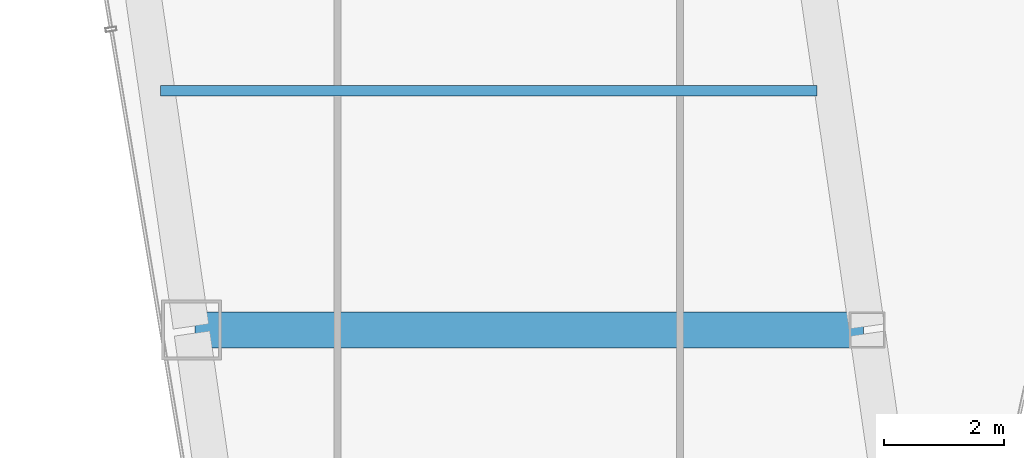
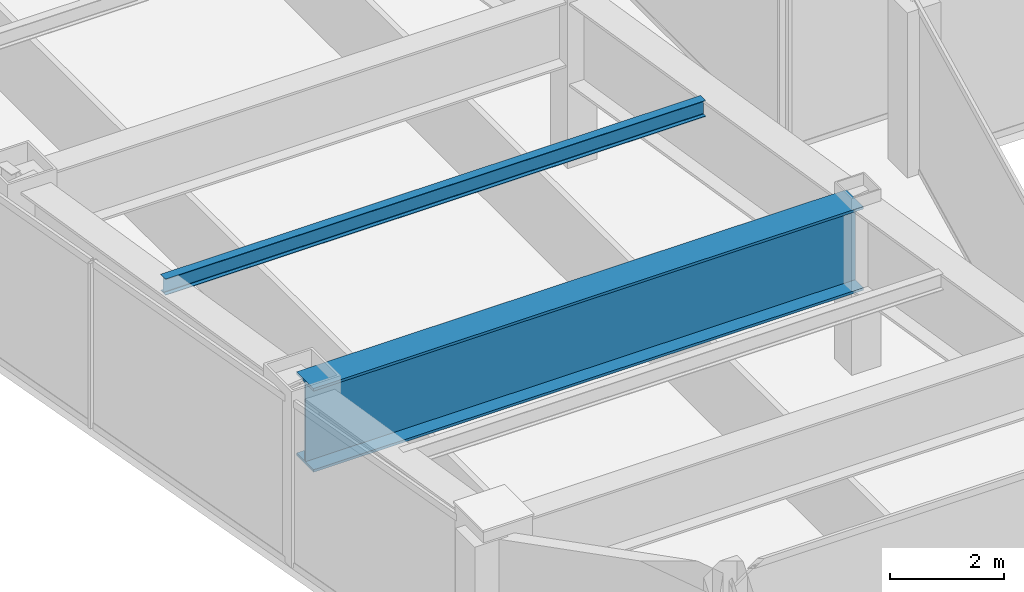
# One storey, part 4 of 37: 2 beams.
"""IFC4 building model written with IfcOpenShell, lengths in metres."""

from ifc_helpers import new_model, si_unit, direction, frame, origin, origin_2d, place, context, subcontext, project, spatial, i_section, extrude, material, material_profile, profile_set, type_object, element, save


model = new_model("IFC4")

# Units and contexts
model_context = context("Model", 3, precision=1e-05, world=origin(), true_north=direction((0.0, 1.0)))
body_context = subcontext(model_context, "Body", "Model", "MODEL_VIEW")
ifc_project = project(units=[si_unit("LENGTHUNIT", "METRE"), si_unit("AREAUNIT", "SQUARE_METRE"), si_unit("VOLUMEUNIT", "CUBIC_METRE"), si_unit("PLANEANGLEUNIT", "RADIAN"), si_unit("MASSUNIT", "GRAM", prefix="KILO")], contexts=[model_context])

# Site, building, storey
site_placement = place(None, origin())
site = spatial("IfcSite", under=ifc_project, at=site_placement, CompositionType="ELEMENT")
building_placement = place(site_placement, origin())
building = spatial("IfcBuilding", under=site, at=building_placement, Name="Saevonmaru Cultural Tower", CompositionType="ELEMENT")
storey_placement = place(building_placement, frame((0.0, 0.0, 163.800048828125)))
storey = spatial("IfcBuildingStorey", under=building, at=storey_placement, Name="L36", CompositionType="ELEMENT", Elevation=163.800048828125)

# Beams
ifc_material_1 = material(Name="Steel SM355", Category="steel")
ifc_material_profile_1 = material_profile(ifc_material_1, i_section(OverallWidth=0.175048828125, OverallDepth=0.35009765625, WebThickness=0.007080078125, FlangeThickness=0.010986328125, FilletRadius=0.012939453125, at=origin_2d()), Name="H-350x175x7x11")
ifc_profile_set_1 = profile_set([ifc_material_profile_1], Name="Steel SM355")
beam_type_1 = type_object("IfcBeamType", Name="BM-J-H350", PredefinedType="JOIST", material=ifc_profile_set_1)
beam_1_placement = place(storey_placement, frame((10.110107421875, 20.0, 3.375), z_axis=(1.0, 0.0, 0.0), x_axis=(0.0, 1.0, 0.0)))
element("IfcBeam", 1, at=beam_1_placement, inside=storey, type_object=beam_type_1, Name="L36 West Wing Floor Joist 2", PredefinedType="JOIST", context=body_context, shape_type="SweptSolid", body=[
    extrude(i_section(OverallWidth=0.175048828125, OverallDepth=0.35009765625, WebThickness=0.007080078125, FlangeThickness=0.010986328125, FilletRadius=0.012939453125, at=origin_2d()), origin(), (0.0, 0.0, 1.0), 10.98193359375),
])
ifc_material_2 = material(Name="Steel HSA600 (600 MPa)", Category="steel")
ifc_material_profile_2 = material_profile(ifc_material_2, i_section(OverallWidth=0.60009765625, OverallDepth=1.800048828125, WebThickness=0.028076171875, FlangeThickness=0.054931640625, at=origin_2d()), Name="PG-1800x600x28x55")
ifc_profile_set_2 = profile_set([ifc_material_profile_2], Name="Steel HSA600 (600 MPa)")
beam_type_2 = type_object("IfcBeamType", Name="BM-TG-PG1800", PredefinedType="BEAM", material=ifc_profile_set_2)
beam_2_placement = place(storey_placement, frame((10.68798828125, 16.0, 2.64990234375), z_axis=(1.0, 0.0, 0.0), x_axis=(0.0, 1.0, 0.0)))
element("IfcBeam", 2, at=beam_2_placement, inside=storey, type_object=beam_type_2, Name="L36 West Wing Transverse Girder 2", PredefinedType="BEAM", context=body_context, shape_type="SweptSolid", body=[
    extrude(i_section(OverallWidth=0.60009765625, OverallDepth=1.800048828125, WebThickness=0.028076171875, FlangeThickness=0.054931640625, at=origin_2d()), origin(), (0.0, 0.0, 1.0), 11.179931640625),
])

save(model, "model.ifc")
